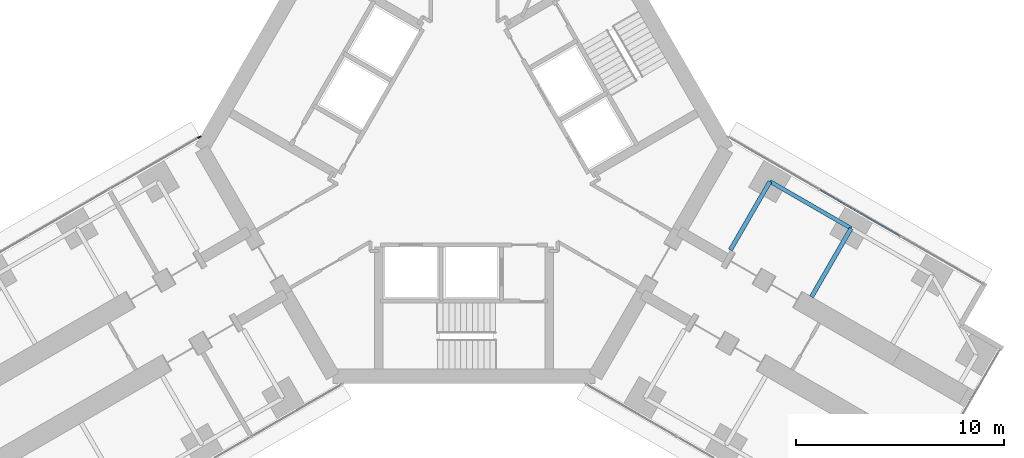
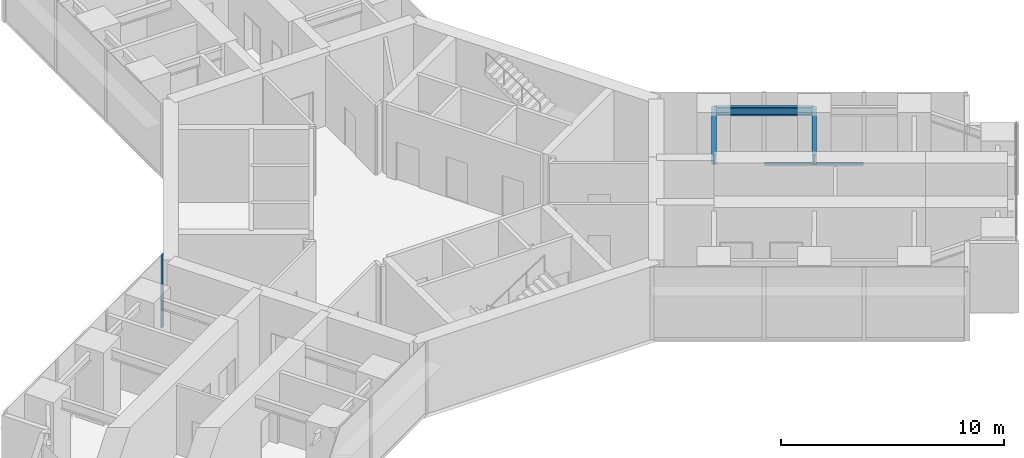
# One storey, part 10 of 23: 3 beams, 2 members, 2 elements without a shape of their own.
"""IFC4 building model written with IfcOpenShell, lengths in metres."""

from ifc_helpers import new_model, si_unit, direction, frame, origin, origin_2d, place, context, subcontext, project, spatial, rectangle, i_section, extrude, material, material_profile, profile_set, type_object, element, aggregate, save


model = new_model("IFC4")

# Units and contexts
model_context = context("Model", 3, precision=1e-05, world=origin(), true_north=direction((0.0, 1.0)))
body_context = subcontext(model_context, "Body", "Model", "MODEL_VIEW")
ifc_project = project(units=[si_unit("LENGTHUNIT", "METRE"), si_unit("AREAUNIT", "SQUARE_METRE"), si_unit("VOLUMEUNIT", "CUBIC_METRE"), si_unit("PLANEANGLEUNIT", "RADIAN"), si_unit("MASSUNIT", "GRAM", prefix="KILO")], contexts=[model_context])

# Site, building, storey
site_placement = place(None, origin())
site = spatial("IfcSite", under=ifc_project, at=site_placement, CompositionType="ELEMENT")
building_placement = place(site_placement, origin())
building = spatial("IfcBuilding", under=site, at=building_placement, Name="Upepo Twin Towers", CompositionType="ELEMENT")
storey_placement = place(building_placement, frame((0.0, 0.0, 28.5)))
storey = spatial("IfcBuildingStorey", under=building, at=storey_placement, Name="L06", CompositionType="ELEMENT", Elevation=28.5)

# Beams
ifc_material_1 = material(Name="Steel S355", Category="steel")
ifc_material_profile_1 = material_profile(ifc_material_1, i_section(OverallWidth=0.1904296875, OverallDepth=0.45703125, WebThickness=0.009033203125, FlangeThickness=0.014404296875, FilletRadius=0.01025390625, at=origin_2d()), Name="UB 457x191x74")
ifc_profile_set_1 = profile_set([ifc_material_profile_1], Name="Steel S355")
beam_type_1 = type_object("IfcBeamType", Name="Beam UB 457x191x74", PredefinedType="BEAM", material=ifc_profile_set_1)
beam_1_placement = place(storey_placement, frame((73.19140625, -19.553955078125, 3.571533203125), z_axis=(0.866017533419, -0.500013631625, 0.0), x_axis=(0.500013631625, 0.866017533419, 0.0)))
element("IfcBeam", 1, at=beam_1_placement, inside=storey, type_object=beam_type_1, Name="T2 edge beam CL 13.5-18.0", PredefinedType="BEAM", context=body_context, shape_type="SweptSolid", body=[
    extrude(i_section(OverallWidth=0.1904296875, OverallDepth=0.45703125, WebThickness=0.009033203125, FlangeThickness=0.014404296875, FilletRadius=0.01025390625, at=origin_2d()), origin(), (0.0, 0.0, 1.0), 4.499755859375),
])
ifc_material_2 = material(Name="Steel S355", Category="steel")
ifc_material_profile_2 = material_profile(ifc_material_2, i_section(OverallWidth=0.209228515625, OverallDepth=0.533203125, WebThickness=0.010009765625, FlangeThickness=0.015625, FilletRadius=0.0126953125, at=origin_2d()), Name="UB 533x210x92")
ifc_profile_set_2 = profile_set([ifc_material_profile_2], Name="Steel S355")
beam_type_2 = type_object("IfcBeamType", Name="Beam UB 533x210x92", PredefinedType="BEAM", material=ifc_profile_set_2)
beam_2_placement = place(storey_placement, frame((73.19140625, -19.553955078125, 3.533447265625), z_axis=(-0.500043160704, -0.866000483506, 0.0), x_axis=(0.866000483506, -0.500043160704, 0.0)))
element("IfcBeam", 2, at=beam_2_placement, inside=storey, type_object=beam_type_2, Name="T2 girder CL at 13.5", PredefinedType="BEAM", context=body_context, shape_type="SweptSolid", body=[
    extrude(i_section(OverallWidth=0.209228515625, OverallDepth=0.533203125, WebThickness=0.010009765625, FlangeThickness=0.015625, FilletRadius=0.0126953125, at=origin_2d()), origin(), (0.0, 0.0, 1.0), 3.800048828125),
])
beam_3_placement = place(storey_placement, frame((77.08837890625, -21.803955078125, 3.533447265625), z_axis=(-0.499994975061, -0.866028304915, 0.0), x_axis=(0.866028304915, -0.499994975061, 0.0)))
element("IfcBeam", 3, at=beam_3_placement, inside=storey, type_object=beam_type_2, Name="T2 girder CL at 18.0", PredefinedType="BEAM", context=body_context, shape_type="SweptSolid", body=[
    extrude(i_section(OverallWidth=0.209228515625, OverallDepth=0.533203125, WebThickness=0.010009765625, FlangeThickness=0.015625, FilletRadius=0.0126953125, at=origin_2d()), origin(), (0.0, 0.0, 1.0), 3.7998046875),
])

# Curtain wall, member
ifc_material_3 = material(Name="Aluminium and fritted glass", Category="aluminium")
curtain_wall_type = type_object("IfcCurtainWallType", Name="Tower curtain wall TW1, fritted glass", PredefinedType="NOTDEFINED", material=ifc_material_3)
curtain_wall_1_placement = place(storey_placement, origin())
curtain_wall_1 = element("IfcCurtainWall", 4, at=curtain_wall_1_placement, inside=storey, type_object=curtain_wall_type, Name="T2 L06 wing B flank R curtain wall", PredefinedType="NOTDEFINED")
ifc_material_4 = material(Name="Aluminium mullion", Category="aluminium")
ifc_material_profile_3 = material_profile(ifc_material_4, rectangle(XDim=0.06494140625, YDim=0.179931640625, at=origin_2d()), Name="MULLION 65x180")
ifc_profile_set_3 = profile_set([ifc_material_profile_3], Name="Aluminium mullion")
member_type_1 = type_object("IfcMemberType", Name="Mullion 65x180 TW1", PredefinedType="MULLION", material=ifc_profile_set_3)
member_1_placement = place(storey_placement, frame((45.79150390625, -17.427490234375, 0.0), z_axis=(0.0, 0.0, 1.0), x_axis=(-0.500000024426, 0.866025389682, 0.0)))
member_1 = element("IfcMember", 5, at=member_1_placement, type_object=member_type_1, Name="T2 L06 wing B flank R curtain wall mullion 4", PredefinedType="MULLION", context=body_context, shape_type="SweptSolid", body=[
    extrude(rectangle(XDim=0.06494140625, YDim=0.179931640625, at=origin_2d()), origin(), (0.0, 0.0, 1.0), 4.0),
])
aggregate(curtain_wall_1, [member_1])

curtain_wall_2_placement = place(storey_placement, origin())
curtain_wall_2 = element("IfcCurtainWall", 6, at=curtain_wall_2_placement, inside=storey, type_object=curtain_wall_type, Name="T2 L06 wing C flank L curtain wall", PredefinedType="NOTDEFINED")
ifc_material_5 = material(Name="Aluminium transom", Category="aluminium")
ifc_material_profile_4 = material_profile(ifc_material_5, rectangle(XDim=0.06494140625, YDim=0.14990234375, at=origin_2d()), Name="TRANSOM 65x150")
ifc_profile_set_4 = profile_set([ifc_material_profile_4], Name="Aluminium transom")
member_type_2 = type_object("IfcMemberType", Name="Transom 65x150 TW1", PredefinedType="USERDEFINED", material=ifc_profile_set_4)
member_2_placement = place(storey_placement, frame((75.593017578125, -19.958984375, 0.074951171875), z_axis=(0.866022410713, -0.500005184116, 0.0), x_axis=(0.500005184116, 0.866022410713, 0.0)))
member_2 = element("IfcMember", 7, at=member_2_placement, type_object=member_type_2, Name="T2 L06 wing C flank L curtain wall transom 2", ObjectType="TRANSOM", PredefinedType="USERDEFINED", context=body_context, shape_type="SweptSolid", body=[
    extrude(rectangle(XDim=0.06494140625, YDim=0.14990234375, at=origin_2d()), origin(), (0.0, 0.0, 1.0), 4.43505859375),
])
aggregate(curtain_wall_2, [member_2])

save(model, "model.ifc")
